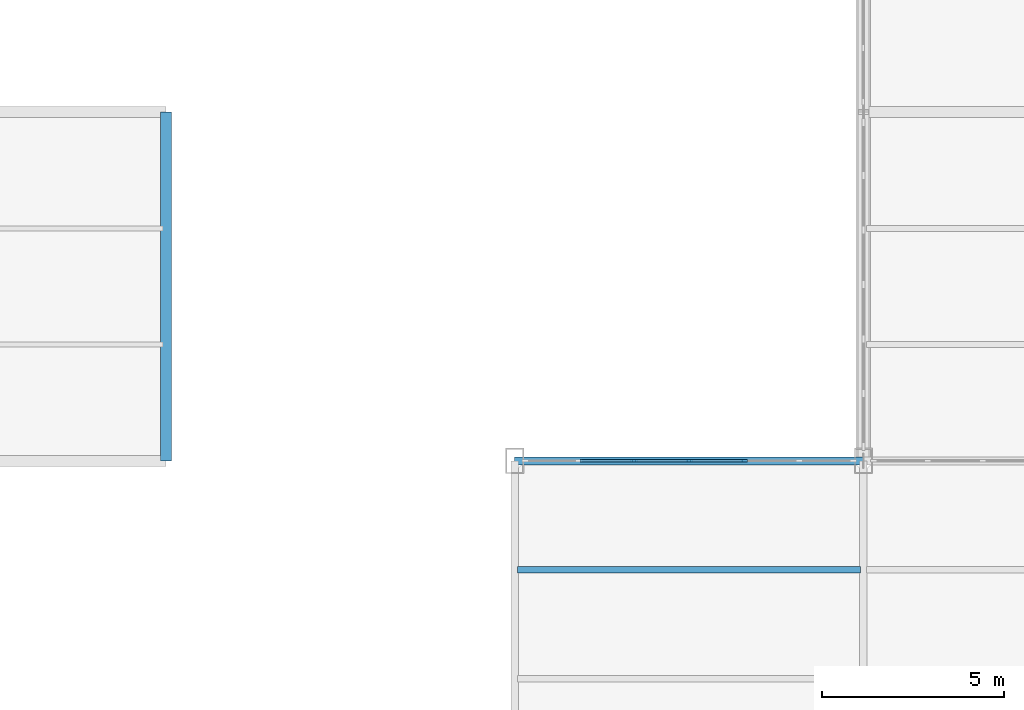
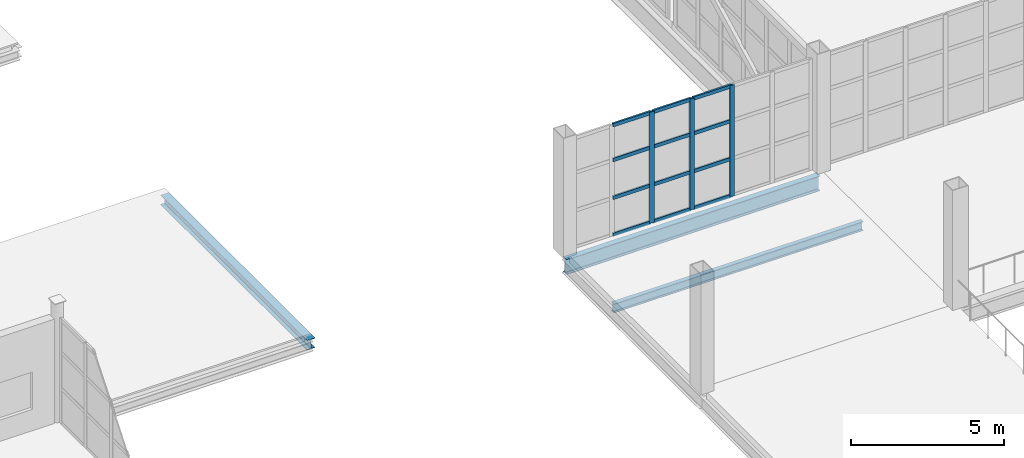
# One storey, part 40 of 120: 15 members, 3 beams, 1 element without a shape of its own.
"""IFC4 building model written with IfcOpenShell, lengths in metres."""

from ifc_helpers import new_model, si_unit, direction, frame, origin, origin_2d, place, context, subcontext, project, spatial, rectangle, i_section, extrude, material, layer, layer_set, material_profile, profile_set, type_object, element, aggregate, save


model = new_model("IFC4")

# Units and contexts
model_context = context("Model", 3, precision=1e-05, world=origin(), true_north=direction((0.0, 1.0)))
body_context = subcontext(model_context, "Body", "Model", "MODEL_VIEW")
ifc_project = project(units=[si_unit("LENGTHUNIT", "METRE"), si_unit("AREAUNIT", "SQUARE_METRE"), si_unit("VOLUMEUNIT", "CUBIC_METRE"), si_unit("PLANEANGLEUNIT", "RADIAN"), si_unit("MASSUNIT", "GRAM", prefix="KILO")], contexts=[model_context])

# Site, building, storey
site_placement = place(None, origin())
site = spatial("IfcSite", under=ifc_project, at=site_placement, CompositionType="ELEMENT")
building_placement = place(site_placement, origin())
building = spatial("IfcBuilding", under=site, at=building_placement, Name="Zarnetskaya Central Station", CompositionType="ELEMENT")
storey_placement = place(building_placement, frame((0.0, 0.0, 5.39990234375)))
storey = spatial("IfcBuildingStorey", under=building, at=storey_placement, Name="L01", CompositionType="ELEMENT", Elevation=5.39990234375)

# Beam
ifc_material_1 = material(Name="Steel S355", Category="steel")
ifc_material_profile_1 = material_profile(ifc_material_1, i_section(OverallWidth=0.169921875, OverallDepth=0.360107421875, WebThickness=0.008056640625, FlangeThickness=0.0126953125, FilletRadius=0.01806640625, at=origin_2d()), Name="IPE 360")
ifc_profile_set_1 = profile_set([ifc_material_profile_1], Name="Steel S355")
beam_type_1 = type_object("IfcBeamType", Name="BM-SEC-360", PredefinedType="BEAM", material=ifc_profile_set_1)
beam_1_placement = place(storey_placement, frame((57.679931640625, 64.199951171875, -0.4599609375), z_axis=(1.0, 0.0, 0.0), x_axis=(0.0, 1.0, 0.0)))
element("IfcBeam", 1, at=beam_1_placement, inside=storey, type_object=beam_type_1, Name="Secondary floor beam SEC-L01-Z512-GH-89-2", PredefinedType="BEAM", context=body_context, shape_type="SweptSolid", body=[
    extrude(i_section(OverallWidth=0.169921875, OverallDepth=0.360107421875, WebThickness=0.008056640625, FlangeThickness=0.0126953125, FilletRadius=0.01806640625, at=origin_2d()), origin(), (0.0, 0.0, 1.0), 9.440185546875),
])

# Curtain wall, members
ifc_material_2 = material(Name="Low-E insulated glass", Category="glass")
ifc_layer = layer(ifc_material_2, 0.159912109375, Name="Low-E insulated glass", Category="glass")
ifc_layer_set = layer_set([ifc_layer], Name="Low-E insulated glass")
curtain_wall_type = type_object("IfcCurtainWallType", Name="CW-SYS-11", PredefinedType="USERDEFINED", material=ifc_layer_set)
curtain_wall_placement = place(storey_placement, origin())
curtain_wall = element("IfcCurtainWall", 2, at=curtain_wall_placement, inside=storey, type_object=curtain_wall_type, Name="Curtain wall CW-L01-075", ObjectType="CURTAIN WALL", PredefinedType="USERDEFINED")
ifc_material_3 = material(Name="Anodised aluminium", Category="aluminium")
ifc_material_profile_2 = material_profile(ifc_material_3, rectangle(XDim=0.070068359375, YDim=0.179931640625, at=origin_2d()), Name="ALU MULL 70x180")
ifc_profile_set_2 = profile_set([ifc_material_profile_2], Name="Anodised aluminium")
member_type_1 = type_object("IfcMemberType", Name="CW-MULL-180", PredefinedType="MULLION", material=ifc_profile_set_2)
member_1_placement = place(storey_placement, frame((60.88330078125, 67.199951171875, 0.0), z_axis=(0.0, 0.0, 1.0), x_axis=(0.0, 1.0, 0.0)))
member_1 = element("IfcMember", 3, at=member_1_placement, type_object=member_type_1, Name="CW-09 mullion 3", PredefinedType="MULLION", context=body_context, shape_type="SweptSolid", body=[
    extrude(rectangle(XDim=0.070068359375, YDim=0.179931640625, at=origin_2d()), origin(), (0.0, 0.0, 1.0), 4.4501953125),
])
member_2_placement = place(storey_placement, frame((62.39990234375, 67.199951171875, 0.0), z_axis=(0.0, 0.0, 1.0), x_axis=(0.0, 1.0, 0.0)))
member_2 = element("IfcMember", 4, at=member_2_placement, type_object=member_type_1, Name="CW-09 mullion 4", PredefinedType="MULLION", context=body_context, shape_type="SweptSolid", body=[
    extrude(rectangle(XDim=0.070068359375, YDim=0.179931640625, at=origin_2d()), origin(), (0.0, 0.0, 1.0), 4.4501953125),
])
member_3_placement = place(storey_placement, frame((63.916748046875, 67.199951171875, 0.0), z_axis=(0.0, 0.0, 1.0), x_axis=(0.0, 1.0, 0.0)))
member_3 = element("IfcMember", 5, at=member_3_placement, type_object=member_type_1, Name="CW-09 mullion 5", PredefinedType="MULLION", context=body_context, shape_type="SweptSolid", body=[
    extrude(rectangle(XDim=0.070068359375, YDim=0.179931640625, at=origin_2d()), origin(), (0.0, 0.0, 1.0), 4.4501953125),
])
ifc_material_profile_3 = material_profile(ifc_material_3, rectangle(XDim=0.070068359375, YDim=0.139892578125, at=origin_2d()), Name="ALU TRAN 70x140")
ifc_profile_set_3 = profile_set([ifc_material_profile_3], Name="Anodised aluminium")
member_type_2 = type_object("IfcMemberType", Name="CW-TRAN-140", PredefinedType="USERDEFINED", material=ifc_profile_set_3)
member_4_placement = place(storey_placement, frame((59.401611328125, 67.199951171875, 0.03515625), z_axis=(1.0, 0.0, 0.0), x_axis=(0.0, 1.0, 0.0)))
member_4 = element("IfcMember", 6, at=member_4_placement, type_object=member_type_2, Name="CW-09 transom 2.1", ObjectType="TRANSOM", PredefinedType="USERDEFINED", context=body_context, shape_type="SweptSolid", body=[
    extrude(rectangle(XDim=0.070068359375, YDim=0.139892578125, at=origin_2d()), origin(), (0.0, 0.0, 1.0), 1.44677734375),
])
member_5_placement = place(storey_placement, frame((59.401611328125, 67.199951171875, 1.51318359375), z_axis=(1.0, 0.0, 0.0), x_axis=(0.0, 1.0, 0.0)))
member_5 = element("IfcMember", 7, at=member_5_placement, type_object=member_type_2, Name="CW-09 transom 2.2", ObjectType="TRANSOM", PredefinedType="USERDEFINED", context=body_context, shape_type="SweptSolid", body=[
    extrude(rectangle(XDim=0.070068359375, YDim=0.139892578125, at=origin_2d()), origin(), (0.0, 0.0, 1.0), 1.44677734375),
])
member_6_placement = place(storey_placement, frame((59.401611328125, 67.199951171875, 3.026123046875), z_axis=(1.0, 0.0, 0.0), x_axis=(0.0, 1.0, 0.0)))
member_6 = element("IfcMember", 8, at=member_6_placement, type_object=member_type_2, Name="CW-09 transom 2.3", ObjectType="TRANSOM", PredefinedType="USERDEFINED", context=body_context, shape_type="SweptSolid", body=[
    extrude(rectangle(XDim=0.070068359375, YDim=0.139892578125, at=origin_2d()), origin(), (0.0, 0.0, 1.0), 1.44677734375),
])
member_7_placement = place(storey_placement, frame((59.401611328125, 67.199951171875, 4.4150390625), z_axis=(1.0, 0.0, 0.0), x_axis=(0.0, 1.0, 0.0)))
member_7 = element("IfcMember", 9, at=member_7_placement, type_object=member_type_2, Name="CW-09 transom 2.4", ObjectType="TRANSOM", PredefinedType="USERDEFINED", context=body_context, shape_type="SweptSolid", body=[
    extrude(rectangle(XDim=0.070068359375, YDim=0.139892578125, at=origin_2d()), origin(), (0.0, 0.0, 1.0), 1.44677734375),
])
member_8_placement = place(storey_placement, frame((60.918212890625, 67.199951171875, 0.03515625), z_axis=(1.0, 0.0, 0.0), x_axis=(0.0, 1.0, 0.0)))
member_8 = element("IfcMember", 10, at=member_8_placement, type_object=member_type_2, Name="CW-09 transom 3.1", ObjectType="TRANSOM", PredefinedType="USERDEFINED", context=body_context, shape_type="SweptSolid", body=[
    extrude(rectangle(XDim=0.070068359375, YDim=0.139892578125, at=origin_2d()), origin(), (0.0, 0.0, 1.0), 1.44677734375),
])
member_9_placement = place(storey_placement, frame((60.918212890625, 67.199951171875, 1.51318359375), z_axis=(1.0, 0.0, 0.0), x_axis=(0.0, 1.0, 0.0)))
member_9 = element("IfcMember", 11, at=member_9_placement, type_object=member_type_2, Name="CW-09 transom 3.2", ObjectType="TRANSOM", PredefinedType="USERDEFINED", context=body_context, shape_type="SweptSolid", body=[
    extrude(rectangle(XDim=0.070068359375, YDim=0.139892578125, at=origin_2d()), origin(), (0.0, 0.0, 1.0), 1.44677734375),
])
member_10_placement = place(storey_placement, frame((60.918212890625, 67.199951171875, 3.026123046875), z_axis=(1.0, 0.0, 0.0), x_axis=(0.0, 1.0, 0.0)))
member_10 = element("IfcMember", 12, at=member_10_placement, type_object=member_type_2, Name="CW-09 transom 3.3", ObjectType="TRANSOM", PredefinedType="USERDEFINED", context=body_context, shape_type="SweptSolid", body=[
    extrude(rectangle(XDim=0.070068359375, YDim=0.139892578125, at=origin_2d()), origin(), (0.0, 0.0, 1.0), 1.44677734375),
])
member_11_placement = place(storey_placement, frame((60.918212890625, 67.199951171875, 4.4150390625), z_axis=(1.0, 0.0, 0.0), x_axis=(0.0, 1.0, 0.0)))
member_11 = element("IfcMember", 13, at=member_11_placement, type_object=member_type_2, Name="CW-09 transom 3.4", ObjectType="TRANSOM", PredefinedType="USERDEFINED", context=body_context, shape_type="SweptSolid", body=[
    extrude(rectangle(XDim=0.070068359375, YDim=0.139892578125, at=origin_2d()), origin(), (0.0, 0.0, 1.0), 1.44677734375),
])
member_12_placement = place(storey_placement, frame((62.43505859375, 67.199951171875, 0.03515625), z_axis=(1.0, 0.0, 0.0), x_axis=(0.0, 1.0, 0.0)))
member_12 = element("IfcMember", 14, at=member_12_placement, type_object=member_type_2, Name="CW-09 transom 4.1", ObjectType="TRANSOM", PredefinedType="USERDEFINED", context=body_context, shape_type="SweptSolid", body=[
    extrude(rectangle(XDim=0.070068359375, YDim=0.139892578125, at=origin_2d()), origin(), (0.0, 0.0, 1.0), 1.446533203125),
])
member_13_placement = place(storey_placement, frame((62.43505859375, 67.199951171875, 1.51318359375), z_axis=(1.0, 0.0, 0.0), x_axis=(0.0, 1.0, 0.0)))
member_13 = element("IfcMember", 15, at=member_13_placement, type_object=member_type_2, Name="CW-09 transom 4.2", ObjectType="TRANSOM", PredefinedType="USERDEFINED", context=body_context, shape_type="SweptSolid", body=[
    extrude(rectangle(XDim=0.070068359375, YDim=0.139892578125, at=origin_2d()), origin(), (0.0, 0.0, 1.0), 1.446533203125),
])
member_14_placement = place(storey_placement, frame((62.43505859375, 67.199951171875, 3.026123046875), z_axis=(1.0, 0.0, 0.0), x_axis=(0.0, 1.0, 0.0)))
member_14 = element("IfcMember", 16, at=member_14_placement, type_object=member_type_2, Name="CW-09 transom 4.3", ObjectType="TRANSOM", PredefinedType="USERDEFINED", context=body_context, shape_type="SweptSolid", body=[
    extrude(rectangle(XDim=0.070068359375, YDim=0.139892578125, at=origin_2d()), origin(), (0.0, 0.0, 1.0), 1.446533203125),
])
member_15_placement = place(storey_placement, frame((62.43505859375, 67.199951171875, 4.4150390625), z_axis=(1.0, 0.0, 0.0), x_axis=(0.0, 1.0, 0.0)))
member_15 = element("IfcMember", 17, at=member_15_placement, type_object=member_type_2, Name="CW-09 transom 4.4", ObjectType="TRANSOM", PredefinedType="USERDEFINED", context=body_context, shape_type="SweptSolid", body=[
    extrude(rectangle(XDim=0.070068359375, YDim=0.139892578125, at=origin_2d()), origin(), (0.0, 0.0, 1.0), 1.446533203125),
])
aggregate(curtain_wall, [member_1, member_2, member_3, member_4, member_5, member_6, member_7, member_8, member_9, member_10, member_11, member_12, member_13, member_14, member_15])

# Beams
ifc_material_profile_4 = material_profile(ifc_material_1, i_section(OverallWidth=0.219970703125, OverallDepth=0.60009765625, WebThickness=0.011962890625, FlangeThickness=0.01904296875, FilletRadius=0.02392578125, at=origin_2d()), Name="IPE 600")
ifc_profile_set_4 = profile_set([ifc_material_profile_4], Name="Steel S355")
beam_type_2 = type_object("IfcBeamType", Name="GD-FLR-600", PredefinedType="USERDEFINED", material=ifc_profile_set_4)
beam_2_placement = place(storey_placement, frame((57.60009765625, 67.199951171875, -0.579833984375), z_axis=(1.0, 0.0, 0.0), x_axis=(0.0, 1.0, 0.0)))
element("IfcBeam", 18, at=beam_2_placement, inside=storey, type_object=beam_type_2, Name="Grid girder GX-L01-9-GH", ObjectType="GIRDER", PredefinedType="USERDEFINED", context=body_context, shape_type="SweptSolid", body=[
    extrude(i_section(OverallWidth=0.219970703125, OverallDepth=0.60009765625, WebThickness=0.011962890625, FlangeThickness=0.01904296875, FilletRadius=0.02392578125, at=origin_2d()), origin(), (0.0, 0.0, 1.0), 9.599853515625),
])
ifc_material_profile_5 = material_profile(ifc_material_1, i_section(OverallWidth=0.300048828125, OverallDepth=0.389892578125, WebThickness=0.010986328125, FlangeThickness=0.01904296875, FilletRadius=0.027099609375, at=origin_2d()), Name="HEA 400")
ifc_profile_set_5 = profile_set([ifc_material_profile_5], Name="Steel S355")
beam_type_3 = type_object("IfcBeamType", Name="GD-ROOF-400", PredefinedType="USERDEFINED", material=ifc_profile_set_5)
beam_3_placement = place(storey_placement, frame((48.0, 67.199951171875, -0.35498046875), z_axis=(0.0, 1.0, 0.0), x_axis=(-1.0, 0.0, 0.0)))
element("IfcBeam", 19, at=beam_3_placement, inside=storey, type_object=beam_type_3, Name="Grid girder GY-L01-F-910", ObjectType="GIRDER", PredefinedType="USERDEFINED", context=body_context, shape_type="SweptSolid", body=[
    extrude(i_section(OverallWidth=0.300048828125, OverallDepth=0.389892578125, WebThickness=0.010986328125, FlangeThickness=0.01904296875, FilletRadius=0.027099609375, at=origin_2d()), origin(), (0.0, 0.0, 1.0), 9.60009765625),
])

save(model, "model.ifc")
